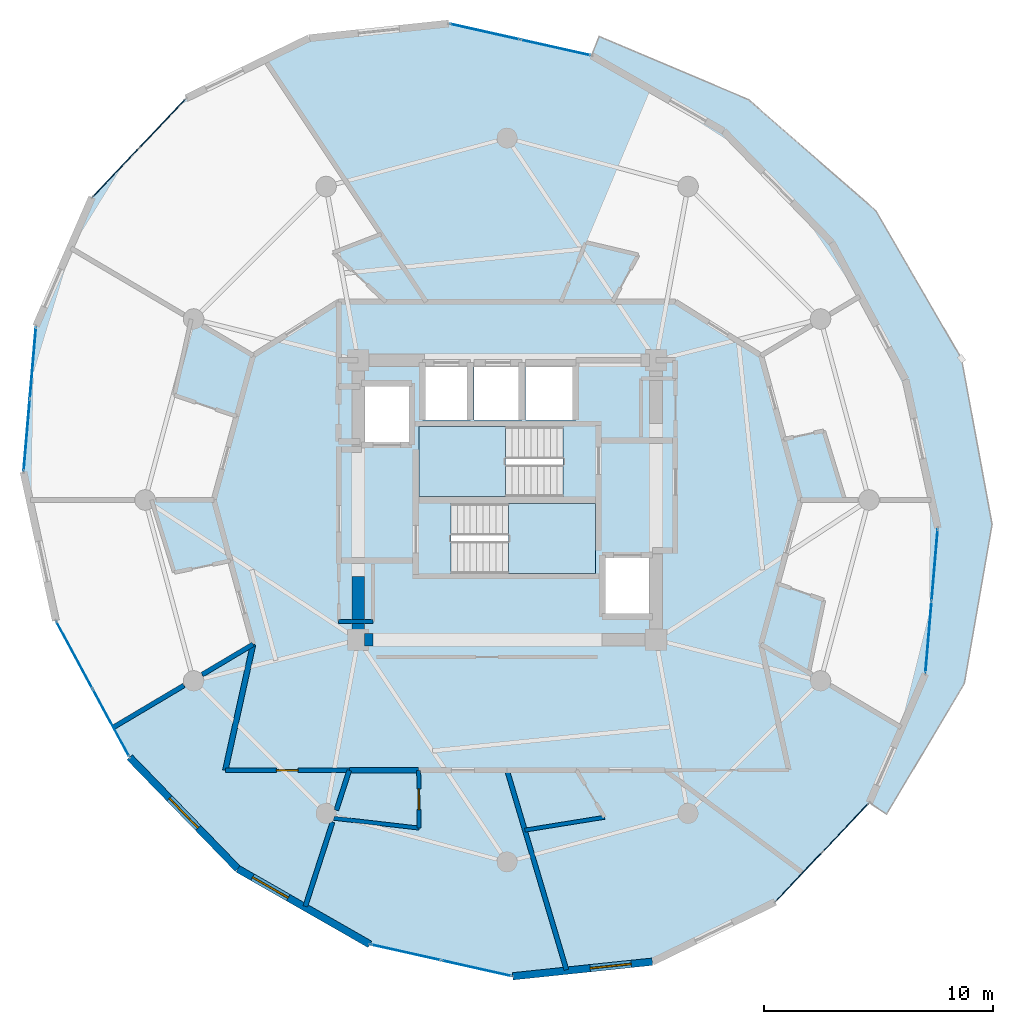
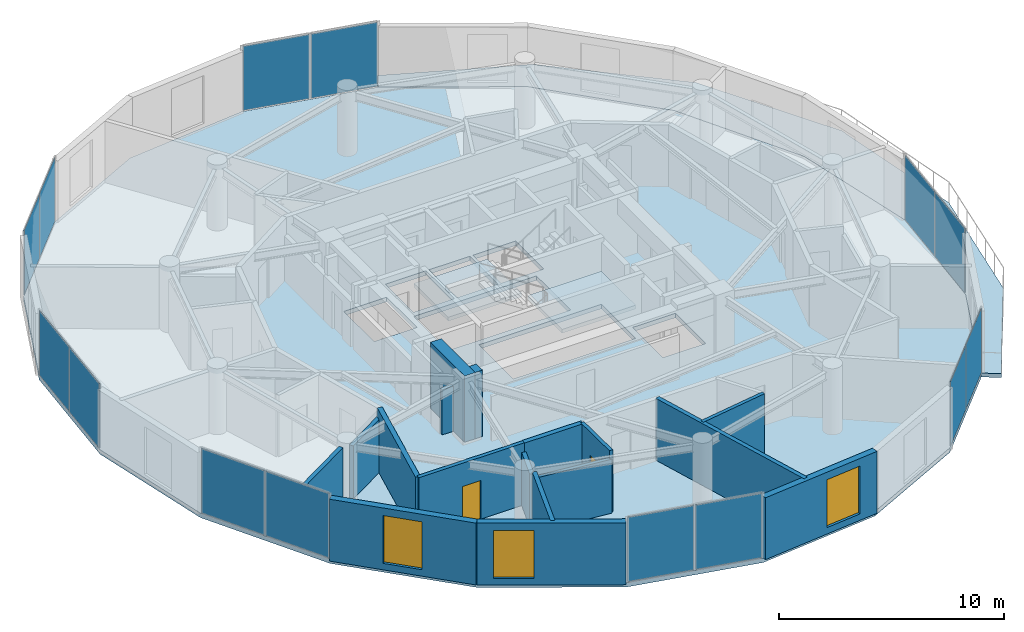
# One storey, part 17 of 23: 17 walls, 14 plates, 4 slabs, 3 windows, 2 doors, 5 openings, 9 elements without a shape of their own.
"""IFC4 building model written with IfcOpenShell, lengths in metres."""

from ifc_helpers import new_model, si_unit, direction, frame, frame_2d, origin, origin_2d, place, context, subcontext, project, spatial, polyline, rectangle, outline, extrude, source, transform, mapped, material, layer, layer_set, type_object, element, fill, aggregate, save


model = new_model("IFC4")

# Units and contexts
model_context = context("Model", 3, precision=1e-05, world=origin(), true_north=direction((0.0, 1.0)))
body_context = subcontext(model_context, "Body", "Model", "MODEL_VIEW")
ifc_project = project(units=[si_unit("LENGTHUNIT", "METRE"), si_unit("AREAUNIT", "SQUARE_METRE"), si_unit("VOLUMEUNIT", "CUBIC_METRE"), si_unit("PLANEANGLEUNIT", "RADIAN"), si_unit("MASSUNIT", "GRAM", prefix="KILO")], contexts=[model_context])

# Site, building, storey
site_placement = place(None, origin())
site = spatial("IfcSite", under=ifc_project, at=site_placement, CompositionType="ELEMENT")
building_placement = place(site_placement, origin())
building = spatial("IfcBuilding", under=site, at=building_placement, Name="Solvirekh Grand Hotel", CompositionType="ELEMENT")
storey_placement = place(building_placement, frame((0.0, 0.0, 176.800048828125)))
storey = spatial("IfcBuildingStorey", under=building, at=storey_placement, Name="L45", CompositionType="ELEMENT", Elevation=176.800048828125)

# Slab
ifc_material_1 = material(Name="Concrete C50/60", Category="concrete")
ifc_layer_1 = layer(ifc_material_1, 0.215087890625)
ifc_layer_set_1 = layer_set([ifc_layer_1], Name="Concrete C50/60")
slab_type_1 = type_object("IfcSlabType", Name="ExtCrescentBalc_215", PredefinedType="FLOOR", material=ifc_layer_set_1)
slab_1_placement = place(storey_placement, frame((0.0, 0.0, -0.215087890625)))
element("IfcSlab", 1, at=slab_1_placement, inside=storey, type_object=slab_type_1, Name="L45 sweeping crescent balcony slab", PredefinedType="FLOOR", context=body_context, shape_type="SweptSolid", body=[
    extrude(outline(polyline([(16.56591796875, -13.7080078125), (19.9580078125, -8.013916015625), (21.172119140625, -1.06494140625), (19.8349609375, 6.16796875), (16.087890625, 12.635009765625), (10.52587890625, 17.48388671875), (4.01806640625, 20.236083984375), (3.68994140625, 19.39794921875), (9.450927734375, 16.10302734375), (14.174072265625, 11.23193359375), (17.39794921875, 5.261962890625), (18.804931640625, -1.22412109375), (18.260009765625, -7.590087890625), (15.81396484375, -13.212890625), (16.56591796875, -13.7080078125)])), origin(), (0.0, 0.0, 1.0), 0.215087890625),
])

# Stair, slab
ifc_material_2 = material(Name="Concrete C40/50", Category="concrete")
stair_type = type_object("IfcStairType", Name="Stair_Core_1450", PredefinedType="HALF_TURN_STAIR", material=ifc_material_2)
stair_1_placement = place(storey_placement, origin())
stair_1 = element("IfcStair", 2, at=stair_1_placement, inside=storey, type_object=stair_type, Name="L45 Enclosed exit stair ST-1", PredefinedType="HALF_TURN_STAIR")
ifc_layer_2 = layer(ifc_material_2, 0.199951171875)
ifc_layer_set_2 = layer_set([ifc_layer_2], Name="Concrete C40/50")
slab_type_2 = type_object("IfcSlabType", Name="Landing_Stair_200", PredefinedType="LANDING", material=ifc_layer_set_2)
slab_2_placement = place(storey_placement, frame((0.0, 0.0, 1.599853515625)))
slab_2 = element("IfcSlab", 3, at=slab_2_placement, type_object=slab_type_2, Name="ST-1 landing 1", PredefinedType="LANDING", context=body_context, shape_type="SweptSolid", body=[
    extrude(outline(polyline([(0.070068359375, -3.199951171875), (3.85009765625, -3.199951171875), (3.85009765625, -0.14990234375), (0.070068359375, -0.14990234375), (0.070068359375, -3.199951171875)])), origin(), (0.0, 0.0, 1.0), 0.2001953125),
])
aggregate(stair_1, [slab_2])

stair_2_placement = place(storey_placement, origin())
stair_2 = element("IfcStair", 4, at=stair_2_placement, inside=storey, type_object=stair_type, Name="L45 Enclosed exit stair ST-2", PredefinedType="HALF_TURN_STAIR")
slab_3_placement = place(storey_placement, frame((0.0, 0.0, 1.599853515625)))
slab_3 = element("IfcSlab", 5, at=slab_3_placement, type_object=slab_type_2, Name="ST-2 landing 1", PredefinedType="LANDING", context=body_context, shape_type="SweptSolid", body=[
    extrude(outline(polyline([(-0.070068359375, 3.199951171875), (-3.85009765625, 3.199951171875), (-3.85009765625, 0.14990234375), (-0.070068359375, 0.14990234375), (-0.070068359375, 3.199951171875)])), origin(), (0.0, 0.0, 1.0), 0.2001953125),
])
aggregate(stair_2, [slab_3])

# Slab
ifc_layer_3 = layer(ifc_material_2, 0.239990234375)
ifc_layer_set_3 = layer_set([ifc_layer_3], Name="Concrete C40/50")
slab_type_3 = type_object("IfcSlabType", Name="Slab_GuestZ3_240", PredefinedType="FLOOR", material=ifc_layer_set_3)
slab_4_placement = place(storey_placement, frame((0.0, 0.0, -0.239990234375)))
element("IfcSlab", 6, at=slab_4_placement, inside=storey, type_object=slab_type_3, Name="L45 structural floor slab", PredefinedType="FLOOR", context=body_context, shape_type="SweptSolid", body=[
    extrude(outline(polyline([(11.7080078125, -17.5419921875), (15.81396484375, -13.212890625), (18.260009765625, -7.590087890625), (18.804931640625, -1.22412109375), (17.39794921875, 5.261962890625), (14.174072265625, 11.23193359375), (9.450927734375, 16.10302734375), (3.68994140625, 19.39794921875), (-2.544921875, 20.7939453125), (-8.64306640625, 20.155029296875), (-14.008056640625, 17.5419921875), (-18.114013671875, 13.212890625), (-20.56005859375, 7.590087890625), (-21.10498046875, 1.22412109375), (-19.697998046875, -5.261962890625), (-16.47412109375, -11.23193359375), (-11.7509765625, -16.10302734375), (-5.989990234375, -19.39794921875), (0.2451171875, -20.7939453125), (6.343017578125, -20.155029296875), (11.7080078125, -17.5419921875)]), holes=[polyline([(-2.444091796875, -0.14990234375), (3.85009765625, -0.14990234375), (3.85009765625, -3.199951171875), (-2.444091796875, -3.199951171875), (-2.444091796875, -0.14990234375)]), polyline([(2.444091796875, 0.14990234375), (-3.85009765625, 0.14990234375), (-3.85009765625, 3.199951171875), (2.444091796875, 3.199951171875), (2.444091796875, 0.14990234375)]), polyline([(-3.699951171875, 6.0), (-1.60009765625, 6.0), (-1.60009765625, 3.5), (-3.699951171875, 3.5), (-3.699951171875, 6.0)]), polyline([(-1.449951171875, 6.0), (0.64990234375, 6.0), (0.64990234375, 3.5), (-1.449951171875, 3.5), (-1.449951171875, 6.0)]), polyline([(0.800048828125, 6.0), (3.0, 6.0), (3.0, 3.5), (0.800048828125, 3.5), (0.800048828125, 6.0)]), polyline([(-6.35009765625, 5.10009765625), (-4.14990234375, 5.10009765625), (-4.14990234375, 2.39990234375), (-6.35009765625, 2.39990234375), (-6.35009765625, 5.10009765625)]), polyline([(4.14990234375, -2.39990234375), (6.35009765625, -2.39990234375), (6.35009765625, -5.10009765625), (4.14990234375, -5.10009765625), (4.14990234375, -2.39990234375)])]), origin(), (0.0, 0.0, 1.0), 0.239990234375),
])

# Curtain wall, plates
ifc_material_3 = material(Name="Anodized Bronze Aluminium 6063-T6", Category="aluminium")
ifc_layer_4 = layer(ifc_material_3, 0.159912109375)
ifc_layer_set_4 = layer_set([ifc_layer_4], Name="Anodized Bronze Aluminium 6063-T6")
curtain_wall_type = type_object("IfcCurtainWallType", Name="CW_Sys4_HighZoneFlushBronzeCW", PredefinedType="NOTDEFINED", material=ifc_layer_set_4)
curtain_wall_1_placement = place(storey_placement, origin())
curtain_wall_1 = element("IfcCurtainWall", 7, at=curtain_wall_1_placement, inside=storey, type_object=curtain_wall_type, Name="L45 unitised bronze-glass curtain wall CW-L45-C01", PredefinedType="NOTDEFINED")
ifc_material_4 = material(Name="Low-E Tinted Bronze Laminated Glass", Category="aluminium")
ifc_layer_5 = layer(ifc_material_4, 0.033935546875)
ifc_layer_set_5 = layer_set([ifc_layer_5], Name="Low-E Tinted Bronze Laminated Glass")
plate_type = type_object("IfcPlateType", Name="CWPanel_High_34", PredefinedType="CURTAIN_PANEL", material=ifc_layer_set_5)
shared_shape_1 = source(origin(), body_context, "Body", "SweptSolid", [
    extrude(rectangle(XDim=2.893310546875, YDim=0.033935546875, at=origin_2d()), origin(), (0.0, 0.0, 1.0), 3.489990234375),
])
plate_1_placement = place(storey_placement, frame((12.744873046875, -16.448974609375, 0.05517578125), z_axis=(0.0, 0.0, 1.0), x_axis=(0.688172218506, 0.725547377968, 0.0)))
plate_1 = element("IfcPlate", 8, at=plate_1_placement, type_object=plate_type, Name="U04 panel 1.1", PredefinedType="CURTAIN_PANEL", context=body_context, shape_type="MappedRepresentation", body=[
    mapped(shared_shape_1, transform((0.0, 0.0, 0.0), x_axis=(1.0, 0.0, 0.0), y_axis=(0.0, 1.0, 0.0), z_axis=(0.0, 0.0, 1.0), scale=1.0)),
])
plate_2_placement = place(storey_placement, frame((14.777099609375, -14.30615234375, 0.05517578125), z_axis=(0.0, 0.0, 1.0), x_axis=(0.688172218506, 0.725547377968, 0.0)))
plate_2 = element("IfcPlate", 9, at=plate_2_placement, type_object=plate_type, Name="U04 panel 2.1", PredefinedType="CURTAIN_PANEL", context=body_context, shape_type="MappedRepresentation", body=[
    mapped(shared_shape_1, transform((0.0, 0.0, 0.0), x_axis=(1.0, 0.0, 0.0), y_axis=(0.0, 1.0, 0.0), z_axis=(0.0, 0.0, 1.0), scale=1.0)),
])
aggregate(curtain_wall_1, [plate_1, plate_2])

curtain_wall_2_placement = place(storey_placement, origin())
curtain_wall_2 = element("IfcCurtainWall", 10, at=curtain_wall_2_placement, inside=storey, type_object=curtain_wall_type, Name="L45 unitised bronze-glass curtain wall CW-L45-C11", PredefinedType="NOTDEFINED")
plate_3_placement = place(storey_placement, frame((-15.044921875, 16.448974609375, 0.05517578125), z_axis=(0.0, 0.0, 1.0), x_axis=(-0.688172218506, -0.725547377968, 0.0)))
plate_3 = element("IfcPlate", 11, at=plate_3_placement, type_object=plate_type, Name="U04 panel 1.1", PredefinedType="CURTAIN_PANEL", context=body_context, shape_type="MappedRepresentation", body=[
    mapped(shared_shape_1, transform((0.0, 0.0, 0.0), x_axis=(1.0, 0.0, 0.0), y_axis=(0.0, 1.0, 0.0), z_axis=(0.0, 0.0, 1.0), scale=1.0)),
])
plate_4_placement = place(storey_placement, frame((-17.0771484375, 14.30615234375, 0.05517578125), z_axis=(0.0, 0.0, 1.0), x_axis=(-0.688172218506, -0.725547377968, 0.0)))
plate_4 = element("IfcPlate", 12, at=plate_4_placement, type_object=plate_type, Name="U04 panel 2.1", PredefinedType="CURTAIN_PANEL", context=body_context, shape_type="MappedRepresentation", body=[
    mapped(shared_shape_1, transform((0.0, 0.0, 0.0), x_axis=(1.0, 0.0, 0.0), y_axis=(0.0, 1.0, 0.0), z_axis=(0.0, 0.0, 1.0), scale=1.0)),
])
aggregate(curtain_wall_2, [plate_3, plate_4])

curtain_wall_3_placement = place(storey_placement, origin())
curtain_wall_3 = element("IfcCurtainWall", 13, at=curtain_wall_3_placement, inside=storey, type_object=curtain_wall_type, Name="L45 unitised bronze-glass curtain wall CW-L45-C03", PredefinedType="NOTDEFINED")
shared_shape_2 = source(origin(), body_context, "Body", "SweptSolid", [
    extrude(rectangle(XDim=3.104736328125, YDim=0.033935546875, at=origin_2d()), origin(), (0.0, 0.0, 1.0), 3.489990234375),
])
plate_5_placement = place(storey_placement, frame((18.3974609375, -5.983642578125, 0.05517578125), z_axis=(0.0, 0.0, 1.0), x_axis=(0.085299040279, 0.996355395292, 0.0)))
plate_5 = element("IfcPlate", 14, at=plate_5_placement, type_object=plate_type, Name="U04 panel 1.1", PredefinedType="CURTAIN_PANEL", context=body_context, shape_type="MappedRepresentation", body=[
    mapped(shared_shape_2, transform((0.0, 0.0, 0.0), x_axis=(1.0, 0.0, 0.0), y_axis=(0.0, 1.0, 0.0), z_axis=(0.0, 0.0, 1.0), scale=1.0)),
])
plate_6_placement = place(storey_placement, frame((18.66748046875, -2.83056640625, 0.05517578125), z_axis=(0.0, 0.0, 1.0), x_axis=(0.085299040279, 0.996355395292, 0.0)))
plate_6 = element("IfcPlate", 15, at=plate_6_placement, type_object=plate_type, Name="U04 panel 2.1", PredefinedType="CURTAIN_PANEL", context=body_context, shape_type="MappedRepresentation", body=[
    mapped(shared_shape_2, transform((0.0, 0.0, 0.0), x_axis=(1.0, 0.0, 0.0), y_axis=(0.0, 1.0, 0.0), z_axis=(0.0, 0.0, 1.0), scale=1.0)),
])
aggregate(curtain_wall_3, [plate_5, plate_6])

curtain_wall_4_placement = place(storey_placement, origin())
curtain_wall_4 = element("IfcCurtainWall", 16, at=curtain_wall_4_placement, inside=storey, type_object=curtain_wall_type, Name="L45 unitised bronze-glass curtain wall CW-L45-C08", PredefinedType="NOTDEFINED")
plate_7_placement = place(storey_placement, frame((2.11669921875, 19.750244140625, 0.05517578125), z_axis=(0.0, 0.0, 1.0), x_axis=(-0.975839654092, 0.218487916144, 0.0)))
plate_7 = element("IfcPlate", 17, at=plate_7_placement, type_object=plate_type, Name="U04 panel 1.1", PredefinedType="CURTAIN_PANEL", context=body_context, shape_type="MappedRepresentation", body=[
    mapped(shared_shape_2, transform((0.0, 0.0, 0.0), x_axis=(1.0, 0.0, 0.0), y_axis=(0.0, 1.0, 0.0), z_axis=(0.0, 0.0, 1.0), scale=1.0)),
])
plate_8_placement = place(storey_placement, frame((-0.9716796875, 20.441650390625, 0.05517578125), z_axis=(0.0, 0.0, 1.0), x_axis=(-0.975839654092, 0.218487916144, 0.0)))
plate_8 = element("IfcPlate", 18, at=plate_8_placement, type_object=plate_type, Name="U04 panel 2.1", PredefinedType="CURTAIN_PANEL", context=body_context, shape_type="MappedRepresentation", body=[
    mapped(shared_shape_2, transform((0.0, 0.0, 0.0), x_axis=(1.0, 0.0, 0.0), y_axis=(0.0, 1.0, 0.0), z_axis=(0.0, 0.0, 1.0), scale=1.0)),
])
aggregate(curtain_wall_4, [plate_7, plate_8])

curtain_wall_5_placement = place(storey_placement, origin())
curtain_wall_5 = element("IfcCurtainWall", 19, at=curtain_wall_5_placement, inside=storey, type_object=curtain_wall_type, Name="L45 unitised bronze-glass curtain wall CW-L45-C13", PredefinedType="NOTDEFINED")
plate_9_placement = place(storey_placement, frame((-20.697509765625, 5.983642578125, 0.05517578125), z_axis=(0.0, 0.0, 1.0), x_axis=(-0.085299040279, -0.996355395292, 0.0)))
plate_9 = element("IfcPlate", 20, at=plate_9_placement, type_object=plate_type, Name="U04 panel 1.1", PredefinedType="CURTAIN_PANEL", context=body_context, shape_type="MappedRepresentation", body=[
    mapped(shared_shape_2, transform((0.0, 0.0, 0.0), x_axis=(1.0, 0.0, 0.0), y_axis=(0.0, 1.0, 0.0), z_axis=(0.0, 0.0, 1.0), scale=1.0)),
])
plate_10_placement = place(storey_placement, frame((-20.967529296875, 2.83056640625, 0.05517578125), z_axis=(0.0, 0.0, 1.0), x_axis=(-0.085299040279, -0.996355395292, 0.0)))
plate_10 = element("IfcPlate", 21, at=plate_10_placement, type_object=plate_type, Name="U04 panel 2.1", PredefinedType="CURTAIN_PANEL", context=body_context, shape_type="MappedRepresentation", body=[
    mapped(shared_shape_2, transform((0.0, 0.0, 0.0), x_axis=(1.0, 0.0, 0.0), y_axis=(0.0, 1.0, 0.0), z_axis=(0.0, 0.0, 1.0), scale=1.0)),
])
aggregate(curtain_wall_5, [plate_9, plate_10])

curtain_wall_6_placement = place(storey_placement, origin())
curtain_wall_6 = element("IfcCurtainWall", 22, at=curtain_wall_6_placement, inside=storey, type_object=curtain_wall_type, Name="L45 unitised bronze-glass curtain wall CW-L45-C18", PredefinedType="NOTDEFINED")
plate_11_placement = place(storey_placement, frame((-4.41650390625, -19.750244140625, 0.05517578125), z_axis=(0.0, 0.0, 1.0), x_axis=(0.975839654092, -0.218487916144, 0.0)))
plate_11 = element("IfcPlate", 23, at=plate_11_placement, type_object=plate_type, Name="U04 panel 1.1", PredefinedType="CURTAIN_PANEL", context=body_context, shape_type="MappedRepresentation", body=[
    mapped(shared_shape_2, transform((0.0, 0.0, 0.0), x_axis=(1.0, 0.0, 0.0), y_axis=(0.0, 1.0, 0.0), z_axis=(0.0, 0.0, 1.0), scale=1.0)),
])
plate_12_placement = place(storey_placement, frame((-1.328369140625, -20.441650390625, 0.05517578125), z_axis=(0.0, 0.0, 1.0), x_axis=(0.975839654092, -0.218487916144, 0.0)))
plate_12 = element("IfcPlate", 24, at=plate_12_placement, type_object=plate_type, Name="U04 panel 2.1", PredefinedType="CURTAIN_PANEL", context=body_context, shape_type="MappedRepresentation", body=[
    mapped(shared_shape_2, transform((0.0, 0.0, 0.0), x_axis=(1.0, 0.0, 0.0), y_axis=(0.0, 1.0, 0.0), z_axis=(0.0, 0.0, 1.0), scale=1.0)),
])
aggregate(curtain_wall_6, [plate_11, plate_12])

curtain_wall_7_placement = place(storey_placement, origin())
curtain_wall_7 = element("IfcCurtainWall", 25, at=curtain_wall_7_placement, inside=storey, type_object=curtain_wall_type, Name="L45 unitised bronze-glass curtain wall CW-L45-C15", PredefinedType="NOTDEFINED")
shared_shape_3 = source(origin(), body_context, "Body", "SweptSolid", [
    extrude(rectangle(XDim=3.302490234375, YDim=0.033935546875, at=origin_2d()), origin(), (0.0, 0.0, 1.0), 3.489990234375),
])
plate_13_placement = place(storey_placement, frame((-18.884765625, -6.767578125, 0.05517578125), z_axis=(0.0, 0.0, 1.0), x_axis=(0.475171736775, -0.879893073373, 0.0)))
plate_13 = element("IfcPlate", 26, at=plate_13_placement, type_object=plate_type, Name="U04 panel 1.1", PredefinedType="CURTAIN_PANEL", context=body_context, shape_type="MappedRepresentation", body=[
    mapped(shared_shape_3, transform((0.0, 0.0, 0.0), x_axis=(1.0, 0.0, 0.0), y_axis=(0.0, 1.0, 0.0), z_axis=(0.0, 0.0, 1.0), scale=1.0)),
])
plate_14_placement = place(storey_placement, frame((-17.287109375, -9.726318359375, 0.05517578125), z_axis=(0.0, 0.0, 1.0), x_axis=(0.475171736775, -0.879893073373, 0.0)))
plate_14 = element("IfcPlate", 27, at=plate_14_placement, type_object=plate_type, Name="U04 panel 2.1", PredefinedType="CURTAIN_PANEL", context=body_context, shape_type="MappedRepresentation", body=[
    mapped(shared_shape_3, transform((0.0, 0.0, 0.0), x_axis=(1.0, 0.0, 0.0), y_axis=(0.0, 1.0, 0.0), z_axis=(0.0, 0.0, 1.0), scale=1.0)),
])
aggregate(curtain_wall_7, [plate_13, plate_14])

# Walls
ifc_layer_6 = layer(ifc_material_1, 0.550048828125)
ifc_layer_set_6 = layer_set([ifc_layer_6], Name="Concrete C50/60")
wall_type_1 = type_object("IfcWallType", Name="CoreWall_RC550", PredefinedType="SHEAR", material=ifc_layer_set_6)
wall_1_placement = place(storey_placement, frame((-6.22509765625, -6.10009765625, 0.0), z_axis=(0.0, 0.0, 1.0), x_axis=(1.0, 0.0, 0.0)))
element("IfcWall", 28, at=wall_1_placement, inside=storey, type_object=wall_type_1, Name="L45 core corner shear wall SW-S", PredefinedType="SHEAR", context=body_context, shape_type="SweptSolid", body=[
    extrude(rectangle(XDim=0.375, YDim=0.550048828125, at=frame_2d((0.1875, 0.0))), origin(), (0.0, 0.0, 1.0), 3.599853515625),
])
wall_2_placement = place(storey_placement, frame((-6.5, -6.375, 0.0), z_axis=(0.0, 0.0, 1.0), x_axis=(0.0, 1.0, 0.0)))
element("IfcWall", 29, at=wall_2_placement, inside=storey, type_object=wall_type_1, Name="L45 core corner shear wall WS-W", PredefinedType="SHEAR", context=body_context, shape_type="SweptSolid", body=[
    extrude(rectangle(XDim=3.02490234375, YDim=0.550048828125, at=frame_2d((1.512451171875, 0.0))), origin(), (0.0, 0.0, 1.0), 3.599853515625),
])

# Wall, opening, window
ifc_material_5 = material(Name="Precast concrete C45/55", Category="concrete")
ifc_layer_7 = layer(ifc_material_5, 0.320068359375)
ifc_layer_set_7 = layer_set([ifc_layer_7], Name="Precast concrete C45/55")
wall_type_2 = type_object("IfcWallType", Name="ExtLobbyWall_RC320", PredefinedType="SOLIDWALL", material=ifc_layer_set_7)
wall_3_placement = place(storey_placement, frame((-11.7509765625, -16.10302734375, 0.0), z_axis=(0.0, 0.0, 1.0), x_axis=(-0.696119985346, 0.71792545992, 0.0)))
wall_3 = element("IfcWall", 30, at=wall_3_placement, inside=storey, type_object=wall_type_2, Name="L45 exterior structural wall chord 16", PredefinedType="SOLIDWALL", context=body_context, shape_type="SweptSolid", body=[
    extrude(rectangle(XDim=6.784912109375, YDim=0.320068359375, at=frame_2d((3.392578125, 0.0))), origin(), (0.0, 0.0, 1.0), 3.35986328125),
])
opening_1_placement = place(wall_3_placement, frame((2.491943359375, 0.0, 0.35009765625)))
opening_1 = element("IfcOpeningElement", 31, at=opening_1_placement, cuts=wall_3, Name="Opening W02", PredefinedType="OPENING", context=body_context, shape_type="SweptSolid", body=[
    extrude(rectangle(XDim=1.800048828125, YDim=2.60009765625, at=frame_2d((0.89990234375, 1.300048828125))), frame((0.0, 0.169921875, 0.0), z_axis=(0.0, -1.0, 0.0), x_axis=(1.0, 0.0, 0.0)), (0.0, 0.0, 1.0), 0.340087890625),
])
window_type = type_object("IfcWindowType", Name="Win_LobbyExt_1800X2600", PartitioningType="SINGLE_PANEL", PredefinedType="WINDOW", material=ifc_material_4)
window_1_placement = place(opening_1_placement, origin())
window_1 = element("IfcWindow", 32, at=window_1_placement, inside=storey, type_object=window_type, Name="L45 panoramic bronze-framed window 16", OverallHeight=2.60009765625, OverallWidth=1.800048828125, PartitioningType="SINGLE_PANEL", PredefinedType="WINDOW", context=body_context, shape_type="SweptSolid", body=[
    extrude(rectangle(XDim=1.800048828125, YDim=2.60009765625, at=frame_2d((0.89990234375, 1.300048828125))), frame((0.0, 0.030029296875, 0.0), z_axis=(0.0, -1.0, 0.0), x_axis=(1.0, 0.0, 0.0)), (0.0, 0.0, 1.0), 0.06005859375),
])
fill(opening_1, window_1)

wall_4_placement = place(storey_placement, frame((-5.989990234375, -19.39794921875, 0.0), z_axis=(0.0, 0.0, 1.0), x_axis=(-0.868052920032, 0.496471678974, 0.0)))
wall_4 = element("IfcWall", 33, at=wall_4_placement, inside=storey, type_object=wall_type_2, Name="L45 exterior structural wall chord 17", PredefinedType="SOLIDWALL", context=body_context, shape_type="SweptSolid", body=[
    extrude(rectangle(XDim=6.63671875, YDim=0.320068359375, at=frame_2d((3.318359375, 0.0))), origin(), (0.0, 0.0, 1.0), 3.35986328125),
])
opening_2_placement = place(wall_4_placement, frame((4.10205078125, 0.0, 0.35009765625)))
opening_2 = element("IfcOpeningElement", 34, at=opening_2_placement, cuts=wall_4, Name="Opening W02", PredefinedType="OPENING", context=body_context, shape_type="SweptSolid", body=[
    extrude(rectangle(XDim=1.800048828125, YDim=2.60009765625, at=frame_2d((0.89990234375, 1.300048828125))), frame((0.0, 0.169921875, 0.0), z_axis=(0.0, -1.0, 0.0), x_axis=(1.0, 0.0, 0.0)), (0.0, 0.0, 1.0), 0.340087890625),
])
window_2_placement = place(opening_2_placement, origin())
window_2 = element("IfcWindow", 35, at=window_2_placement, inside=storey, type_object=window_type, Name="L45 panoramic bronze-framed window 17", OverallHeight=2.60009765625, OverallWidth=1.800048828125, PartitioningType="SINGLE_PANEL", PredefinedType="WINDOW", context=body_context, shape_type="SweptSolid", body=[
    extrude(rectangle(XDim=1.800048828125, YDim=2.60009765625, at=frame_2d((0.89990234375, 1.300048828125))), frame((0.0, 0.030029296875, 0.0), z_axis=(0.0, -1.0, 0.0), x_axis=(1.0, 0.0, 0.0)), (0.0, 0.0, 1.0), 0.06005859375),
])
fill(opening_2, window_2)

wall_5_placement = place(storey_placement, frame((6.343017578125, -20.155029296875, 0.0), z_axis=(0.0, 0.0, 1.0), x_axis=(-0.994555738522, -0.104205964195, 0.0)))
wall_5 = element("IfcWall", 36, at=wall_5_placement, inside=storey, type_object=wall_type_2, Name="L45 exterior structural wall chord 19", PredefinedType="SOLIDWALL", context=body_context, shape_type="SweptSolid", body=[
    extrude(rectangle(XDim=6.13134765625, YDim=0.320068359375, at=frame_2d((3.065673828125, 0.0))), origin(), (0.0, 0.0, 1.0), 3.35986328125),
])
opening_3_placement = place(wall_5_placement, frame((0.93408203125, 0.0, 0.35009765625)))
opening_3 = element("IfcOpeningElement", 37, at=opening_3_placement, cuts=wall_5, Name="Opening W02", PredefinedType="OPENING", context=body_context, shape_type="SweptSolid", body=[
    extrude(rectangle(XDim=1.800048828125, YDim=2.60009765625, at=frame_2d((0.89990234375, 1.300048828125))), frame((0.0, 0.169921875, 0.0), z_axis=(0.0, -1.0, 0.0), x_axis=(1.0, 0.0, 0.0)), (0.0, 0.0, 1.0), 0.340087890625),
])
window_3_placement = place(opening_3_placement, origin())
window_3 = element("IfcWindow", 38, at=window_3_placement, inside=storey, type_object=window_type, Name="L45 panoramic bronze-framed window 19", OverallHeight=2.60009765625, OverallWidth=1.800048828125, PartitioningType="SINGLE_PANEL", PredefinedType="WINDOW", context=body_context, shape_type="SweptSolid", body=[
    extrude(rectangle(XDim=1.800048828125, YDim=2.60009765625, at=frame_2d((0.89990234375, 1.300048828125))), frame((0.0, 0.030029296875, 0.0), z_axis=(0.0, -1.0, 0.0), x_axis=(1.0, 0.0, 0.0)), (0.0, 0.0, 1.0), 0.06005859375),
])
fill(opening_3, window_3)

# Walls
ifc_material_6 = material(Name="Acoustic Gypsum Partition Assembly")
ifc_layer_8 = layer(ifc_material_6, 0.1650390625)
ifc_layer_set_8 = layer_set([ifc_layer_8], Name="Acoustic Gypsum Partition Assembly")
wall_type_3 = type_object("IfcWallType", Name="Part_BOH_165", PredefinedType="PARTITIONING", material=ifc_layer_set_8)
wall_6_placement = place(storey_placement, frame((-7.35009765625, -5.300048828125, 0.0), z_axis=(0.0, 0.0, 1.0), x_axis=(1.0, 0.0, 0.0)))
element("IfcWall", 39, at=wall_6_placement, inside=storey, type_object=wall_type_3, Name="L45 L45 Core Linen Store wall 1", PredefinedType="PARTITIONING", context=body_context, shape_type="SweptSolid", body=[
    extrude(rectangle(XDim=1.5, YDim=0.1650390625, at=frame_2d((0.75, 0.0))), origin(), (0.0, 0.0, 1.0), 2.445068359375),
])
ifc_layer_9 = layer(ifc_material_6, 0.239990234375)
ifc_layer_set_9 = layer_set([ifc_layer_9], Name="Acoustic Gypsum Partition Assembly")
wall_type_4 = type_object("IfcWallType", Name="Part_Corridor_240", PredefinedType="PARTITIONING", material=ifc_layer_set_9)
wall_7_placement = place(storey_placement, frame((-11.0849609375, -6.300048828125, 0.0), z_axis=(0.0, 0.0, 1.0), x_axis=(-0.21572328796, -0.976454537104, 0.0)))
element("IfcWall", 40, at=wall_7_placement, inside=storey, type_object=wall_type_4, Name="L45 L45 Private Relaxation Lounge corridor wall 1", PredefinedType="PARTITIONING", context=body_context, shape_type="SweptSolid", body=[
    extrude(rectangle(XDim=5.632568359375, YDim=0.239990234375, at=frame_2d((2.81640625, 0.0))), origin(), (0.0, 0.0, 1.0), 3.35986328125),
])
wall_8_placement = place(storey_placement, frame((-6.887939453125, -11.800048828125, 0.0), z_axis=(0.0, 0.0, 1.0), x_axis=(1.0, 0.0, 0.0)))
element("IfcWall", 41, at=wall_8_placement, inside=storey, type_object=wall_type_4, Name="L45 En-suite Bathroom 4707 corridor backing wall", PredefinedType="PARTITIONING", context=body_context, shape_type="SweptSolid", body=[
    extrude(rectangle(XDim=3.031005859375, YDim=0.239990234375, at=frame_2d((1.515625, 0.0))), origin(), (0.0, 0.0, 1.0), 3.35986328125),
])

# Wall, opening, door
ifc_layer_10 = layer(ifc_material_6, 0.18994140625)
ifc_layer_set_10 = layer_set([ifc_layer_10], Name="Acoustic Gypsum Partition Assembly")
wall_type_5 = type_object("IfcWallType", Name="Part_GuestDemise_190", PredefinedType="PARTITIONING", material=ifc_layer_set_10)
wall_9_placement = place(storey_placement, frame((-12.300048828125, -11.800048828125, 0.0), z_axis=(0.0, 0.0, 1.0), x_axis=(1.0, 0.0, 0.0)))
wall_9 = element("IfcWall", 42, at=wall_9_placement, inside=storey, type_object=wall_type_5, Name="L45 L45 Private Relaxation Lounge entrance wall", PredefinedType="PARTITIONING", context=body_context, shape_type="SweptSolid", body=[
    extrude(rectangle(XDim=5.412109375, YDim=0.18994140625, at=frame_2d((2.7060546875, 0.0))), origin(), (0.0, 0.0, 1.0), 3.35986328125),
])
opening_4_placement = place(wall_9_placement, frame((2.23095703125, 0.0, 0.0)))
opening_4 = element("IfcOpeningElement", 43, at=opening_4_placement, cuts=wall_9, Name="Opening D10", PredefinedType="OPENING", context=body_context, shape_type="SweptSolid", body=[
    extrude(rectangle(XDim=0.949951171875, YDim=2.10009765625, at=frame_2d((0.47509765625, 1.050048828125))), frame((0.0, 0.10498046875, 0.0), z_axis=(0.0, -1.0, 0.0), x_axis=(1.0, 0.0, 0.0)), (0.0, 0.0, 1.0), 0.2099609375),
])
door_type_1 = type_object("IfcDoorType", Name="Door_RoomInt_950X2100", OperationType="NOTDEFINED", PredefinedType="DOOR", material=ifc_material_3)
door_1_placement = place(opening_4_placement, origin())
door_1 = element("IfcDoor", 44, at=door_1_placement, inside=storey, type_object=door_type_1, Name="L45 L45 Private Relaxation Lounge entrance door", OperationType="SINGLE_SWING_LEFT", OverallHeight=2.10009765625, OverallWidth=0.949951171875, PredefinedType="DOOR", context=body_context, shape_type="SweptSolid", body=[
    extrude(rectangle(XDim=0.949951171875, YDim=2.10009765625, at=frame_2d((0.47509765625, 1.050048828125))), frame((0.0, 0.02490234375, 0.0), z_axis=(0.0, -1.0, 0.0), x_axis=(1.0, 0.0, 0.0)), (0.0, 0.0, 1.0), 0.050048828125),
])
fill(opening_4, door_1)

# Walls
ifc_layer_11 = layer(ifc_material_6, 0.2099609375)
ifc_layer_set_11 = layer_set([ifc_layer_11], Name="Acoustic Gypsum Partition Assembly")
wall_type_6 = type_object("IfcWallType", Name="Part_SuiteDemise_210", PredefinedType="PARTITIONING", material=ifc_layer_set_11)
wall_10_placement = place(storey_placement, frame((-11.0849609375, -6.300048828125, 0.0), z_axis=(0.0, 0.0, 1.0), x_axis=(-0.859827513331, -0.510584613281, 0.0)))
element("IfcWall", 45, at=wall_10_placement, inside=storey, type_object=wall_type_6, Name="L45 suite radial wall 8 (A)", PredefinedType="PARTITIONING", context=body_context, shape_type="SweptSolid", body=[
    extrude(rectangle(XDim=2.5830078125, YDim=0.2099609375, at=frame_2d((1.29150390625, 0.0))), origin(), (0.0, 0.0, 1.0), 2.8759765625),
])
wall_11_placement = place(storey_placement, frame((-14.110107421875, -8.095947265625, 0.0), z_axis=(0.0, 0.0, 1.0), x_axis=(-0.859825355727, -0.510588246682, 0.0)))
element("IfcWall", 46, at=wall_11_placement, inside=storey, type_object=wall_type_6, Name="L45 suite radial wall 8 (B)", PredefinedType="PARTITIONING", context=body_context, shape_type="SweptSolid", body=[
    extrude(rectangle(XDim=3.533203125, YDim=0.2099609375, at=frame_2d((1.7666015625, 0.0))), origin(), (0.0, 0.0, 1.0), 3.35986328125),
])
wall_12_placement = place(storey_placement, frame((-6.887939453125, -11.800048828125, 0.0), z_axis=(0.0, 0.0, 1.0), x_axis=(-0.307220756357, -0.95163827522, 0.0)))
element("IfcWall", 47, at=wall_12_placement, inside=storey, type_object=wall_type_6, Name="L45 L45 Private Relaxation Lounge dividing partition 1 (A)", PredefinedType="PARTITIONING", context=body_context, shape_type="SweptSolid", body=[
    extrude(rectangle(XDim=1.83251953125, YDim=0.2099609375, at=frame_2d((0.916259765625, 0.0))), origin(), (0.0, 0.0, 1.0), 2.8759765625),
])
wall_13_placement = place(storey_placement, frame((-7.617919921875, -14.05908203125, 0.0), z_axis=(0.0, 0.0, 1.0), x_axis=(-0.307297747986, -0.9516134163, 0.0)))
element("IfcWall", 48, at=wall_13_placement, inside=storey, type_object=wall_type_6, Name="L45 L45 Private Relaxation Lounge dividing partition 1 (B)", PredefinedType="PARTITIONING", context=body_context, shape_type="SweptSolid", body=[
    extrude(rectangle(XDim=3.869140625, YDim=0.2099609375, at=frame_2d((1.9345703125, 0.0))), origin(), (0.0, 0.0, 1.0), 3.35986328125),
])
wall_14_placement = place(storey_placement, frame((0.0, -11.800048828125, 0.0), z_axis=(0.0, 0.0, 1.0), x_axis=(0.285192468368, -0.958470268702, 0.0)))
element("IfcWall", 49, at=wall_14_placement, inside=storey, type_object=wall_type_6, Name="L45 Deluxe Guestroom 4707 dividing partition 1", PredefinedType="PARTITIONING", context=body_context, shape_type="SweptSolid", body=[
    extrude(rectangle(XDim=9.085205078125, YDim=0.2099609375, at=frame_2d((4.54248046875, 0.0))), origin(), (0.0, 0.0, 1.0), 3.35986328125),
])
ifc_layer_12 = layer(ifc_material_6, 0.175048828125)
ifc_layer_set_12 = layer_set([ifc_layer_12], Name="Acoustic Gypsum Partition Assembly")
wall_type_7 = type_object("IfcWallType", Name="Plumb_Ensuite_175", PredefinedType="PLUMBINGWALL", material=ifc_layer_set_12)
wall_15_placement = place(storey_placement, frame((-7.56396484375, -13.89306640625, 0.0), z_axis=(0.0, 0.0, 1.0), x_axis=(0.993452151759, -0.114248948203, 0.0)))
element("IfcWall", 50, at=wall_15_placement, inside=storey, type_object=wall_type_7, Name="L45 En-suite Bathroom 4707 outer plumbing wall", PredefinedType="PLUMBINGWALL", context=body_context, shape_type="SweptSolid", body=[
    extrude(rectangle(XDim=3.754638671875, YDim=0.175048828125, at=frame_2d((1.87744140625, 0.0))), origin(), (0.0, 0.0, 1.0), 2.928955078125),
])

# Wall, opening, door
wall_16_placement = place(storey_placement, frame((-3.85693359375, -11.800048828125, 0.0), z_axis=(0.0, 0.0, 1.0), x_axis=(0.009099332858, -0.999958600214, 0.0)))
wall_16 = element("IfcWall", 51, at=wall_16_placement, inside=storey, type_object=wall_type_7, Name="L45 En-suite Bathroom 4707 entry plumbing wall", PredefinedType="PLUMBINGWALL", context=body_context, shape_type="SweptSolid", body=[
    extrude(rectangle(XDim=2.52197265625, YDim=0.175048828125, at=frame_2d((1.260986328125, 0.0))), origin(), (0.0, 0.0, 1.0), 3.35986328125),
])
opening_5_placement = place(wall_16_placement, frame((0.81103515625, 0.0, 0.0)))
opening_5 = element("IfcOpeningElement", 52, at=opening_5_placement, cuts=wall_16, Name="Opening D09", PredefinedType="OPENING", context=body_context, shape_type="SweptSolid", body=[
    extrude(rectangle(XDim=0.89990234375, YDim=2.10009765625, at=frame_2d((0.449951171875, 1.050048828125))), frame((0.0, 0.09765625, 0.0), z_axis=(0.0, -1.0, 0.0), x_axis=(1.0, 0.0, 0.0)), (0.0, 0.0, 1.0), 0.195068359375),
])
door_type_2 = type_object("IfcDoorType", Name="Door_Ensuite_900X2100", OperationType="NOTDEFINED", PredefinedType="DOOR", material=ifc_material_3)
door_2_placement = place(opening_5_placement, origin())
door_2 = element("IfcDoor", 53, at=door_2_placement, inside=storey, type_object=door_type_2, Name="L45 En-suite Bathroom 4707 door", OperationType="SINGLE_SWING_RIGHT", OverallHeight=2.10009765625, OverallWidth=0.89990234375, PredefinedType="DOOR", context=body_context, shape_type="SweptSolid", body=[
    extrude(rectangle(XDim=0.89990234375, YDim=2.10009765625, at=frame_2d((0.449951171875, 1.050048828125))), frame((0.0, 0.02490234375, 0.0), z_axis=(0.0, -1.0, 0.0), x_axis=(1.0, 0.0, 0.0)), (0.0, 0.0, 1.0), 0.050048828125),
])
fill(opening_5, door_2)

# Wall
wall_17_placement = place(storey_placement, frame((0.777099609375, -14.412109375, 0.0), z_axis=(0.0, 0.0, 1.0), x_axis=(0.987208789181, 0.159432765027, 0.0)))
element("IfcWall", 54, at=wall_17_placement, inside=storey, type_object=wall_type_7, Name="L45 En-suite Bathroom 4708 outer plumbing wall", PredefinedType="PLUMBINGWALL", context=body_context, shape_type="SweptSolid", body=[
    extrude(rectangle(XDim=3.525146484375, YDim=0.175048828125, at=frame_2d((1.7626953125, 0.0))), origin(), (0.0, 0.0, 1.0), 3.35986328125),
])

save(model, "model.ifc")
